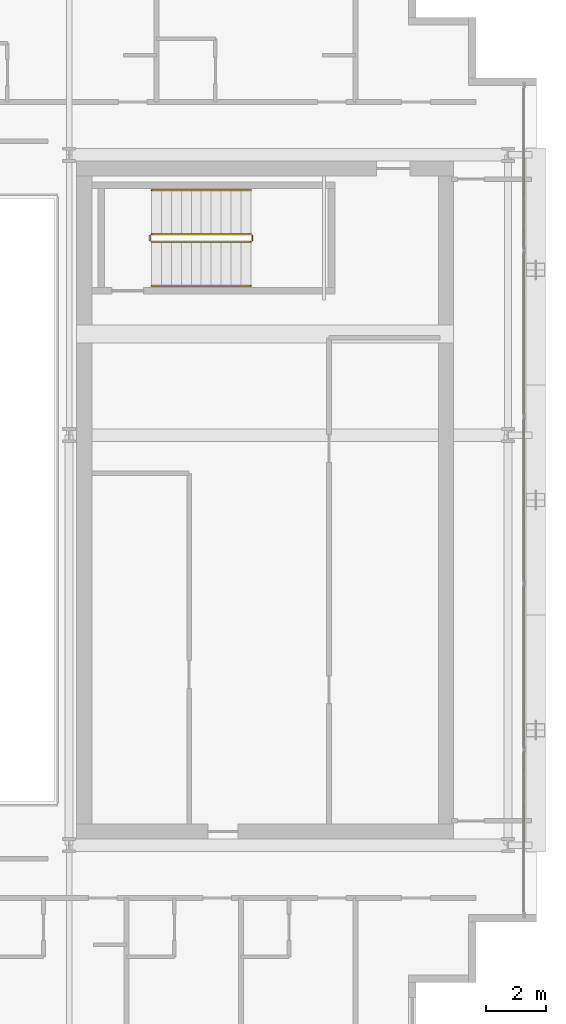
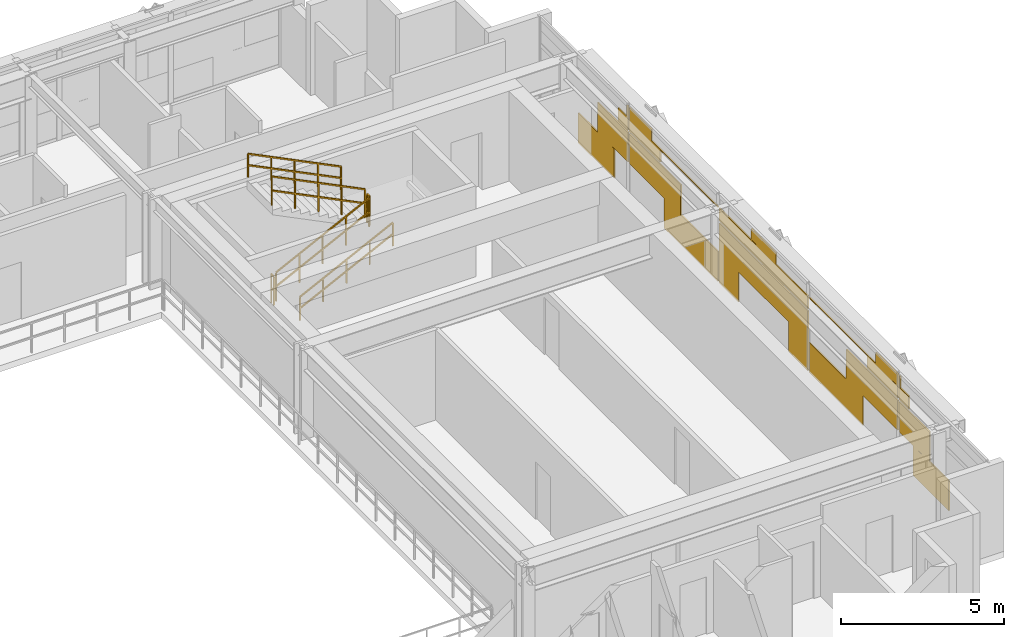
# One storey, part 30 of 31: 6 railings, 1 covering.
"""IFC4 building model written with IfcOpenShell, lengths in metres."""

from ifc_helpers import new_model, si_unit, direction, frame, origin, origin_2d, place, context, subcontext, project, spatial, rectangle, extrude, material, layer, layer_set, type_object, element, save


model = new_model("IFC4")

# Units and contexts
model_context = context("Model", 3, precision=1e-05, world=origin(), true_north=direction((0.0, 1.0)))
body_context = subcontext(model_context, "Body", "Model", "MODEL_VIEW")
ifc_project = project(units=[si_unit("LENGTHUNIT", "METRE"), si_unit("AREAUNIT", "SQUARE_METRE"), si_unit("VOLUMEUNIT", "CUBIC_METRE"), si_unit("PLANEANGLEUNIT", "RADIAN"), si_unit("MASSUNIT", "GRAM", prefix="KILO")], contexts=[model_context])

# Site, building, storey
site_placement = place(None, origin())
site = spatial("IfcSite", under=ifc_project, at=site_placement, CompositionType="ELEMENT")
building_placement = place(site_placement, origin())
building = spatial("IfcBuilding", under=site, at=building_placement, Name="Ocotamira Hotel", CompositionType="ELEMENT")
storey_placement = place(building_placement, frame((0.0, 0.0, 202.800048828125)))
storey = spatial("IfcBuildingStorey", under=building, at=storey_placement, Name="L51", CompositionType="ELEMENT", Elevation=202.800048828125)

# Covering
ifc_material_1 = material(Name="Insulated pale-metal aluminium spandrel panel", Category="aluminium")
ifc_layer = layer(ifc_material_1, 0.044921875)
ifc_layer_set = layer_set([ifc_layer], Name="Insulated pale-metal aluminium spandrel panel")
covering_type = type_object("IfcCoveringType", Name="COV-INFILL-45", PredefinedType="CLADDING", material=ifc_layer_set)
covering_placement = place(storey_placement, origin())
element("IfcCovering", 1, at=covering_placement, inside=storey, type_object=covering_type, Name="L51 Curtain Wall Infill CW-4 CW-L51-E", PredefinedType="CLADDING", context=body_context, shape_type="SweptSolid", body=[
    extrude(rectangle(XDim=2.205078125, YDim=0.044921875, at=origin_2d()), frame((55.580078125, 15.7314453125, 0.0751953125), z_axis=(0.0, 0.0, 1.0), x_axis=(0.0, 1.0, 0.0)), (0.0, 0.0, 1.0), 1.117919921875),
    extrude(rectangle(XDim=1.864501953125, YDim=0.044921875, at=origin_2d()), frame((55.580078125, 16.747314453125, 1.19384765625), z_axis=(0.0, 0.0, 1.0), x_axis=(0.0, 1.0, 0.0)), (0.0, 0.0, 1.0), 1.117919921875),
    extrude(rectangle(XDim=0.59912109375, YDim=0.044921875, at=origin_2d()), frame((55.580078125, 17.3798828125, 2.38818359375), z_axis=(0.0, 0.0, 1.0), x_axis=(0.0, 1.0, 0.0)), (0.0, 0.0, 1.0), 0.493896484375),
    extrude(rectangle(XDim=0.07421875, YDim=0.044921875, at=origin_2d()), frame((55.580078125, 17.642333984375, 2.883056640625), z_axis=(0.0, 0.0, 1.0), x_axis=(0.0, 1.0, 0.0)), (0.0, 0.0, 1.0), 0.41162109375),
    extrude(rectangle(XDim=3.157958984375, YDim=0.044921875, at=origin_2d()), frame((55.580078125, 19.33935546875, 1.19384765625), z_axis=(0.0, 0.0, 1.0), x_axis=(0.0, 1.0, 0.0)), (0.0, 0.0, 1.0), 1.117919921875),
    extrude(rectangle(XDim=3.30029296875, YDim=0.044921875, at=origin_2d()), frame((55.580078125, 21.54931640625, 0.0751953125), z_axis=(0.0, 0.0, 1.0), x_axis=(0.0, 1.0, 0.0)), (0.0, 0.0, 1.0), 1.117919921875),
    extrude(rectangle(XDim=1.892333984375, YDim=0.044921875, at=origin_2d()), frame((55.580078125, 18.70654296875, 2.38818359375), z_axis=(0.0, 0.0, 1.0), x_axis=(0.0, 1.0, 0.0)), (0.0, 0.0, 1.0), 0.459716796875),
    extrude(rectangle(XDim=5.43896484375, YDim=0.044921875, at=origin_2d()), frame((55.580078125, 20.47998046875, 2.8486328125), z_axis=(0.0, 0.0, 1.0), x_axis=(0.0, 1.0, 0.0)), (0.0, 0.0, 1.0), 0.033203125),
    extrude(rectangle(XDim=1.367431640625, YDim=0.044921875, at=origin_2d()), frame((55.580078125, 18.444091796875, 2.883056640625), z_axis=(0.0, 0.0, 1.0), x_axis=(0.0, 1.0, 0.0)), (0.0, 0.0, 1.0), 0.41162109375),
    extrude(rectangle(XDim=1.18701171875, YDim=0.044921875, at=origin_2d()), frame((55.580078125, 23.873779296875, 0.0751953125), z_axis=(0.0, 0.0, 1.0), x_axis=(0.0, 1.0, 0.0)), (0.0, 0.0, 1.0), 1.117919921875),
    extrude(rectangle(XDim=5.43896484375, YDim=0.044921875, at=origin_2d()), frame((55.580078125, 26.0, 1.19384765625), z_axis=(0.0, 0.0, 1.0), x_axis=(0.0, 1.0, 0.0)), (0.0, 0.0, 1.0), 1.117919921875),
    extrude(rectangle(XDim=1.18701171875, YDim=0.044921875, at=origin_2d()), frame((55.580078125, 28.126220703125, 0.0751953125), z_axis=(0.0, 0.0, 1.0), x_axis=(0.0, 1.0, 0.0)), (0.0, 0.0, 1.0), 1.117919921875),
    extrude(rectangle(XDim=5.43896484375, YDim=0.044921875, at=origin_2d()), frame((55.580078125, 26.0, 2.38818359375), z_axis=(0.0, 0.0, 1.0), x_axis=(0.0, 1.0, 0.0)), (0.0, 0.0, 1.0), 0.493896484375),
    extrude(rectangle(XDim=1.522705078125, YDim=0.044921875, at=origin_2d()), frame((55.580078125, 26.0, 2.883056640625), z_axis=(0.0, 0.0, 1.0), x_axis=(0.0, 1.0, 0.0)), (0.0, 0.0, 1.0), 0.41162109375),
    extrude(rectangle(XDim=3.30029296875, YDim=0.044921875, at=origin_2d()), frame((55.580078125, 30.45068359375, 0.0751953125), z_axis=(0.0, 0.0, 1.0), x_axis=(0.0, 1.0, 0.0)), (0.0, 0.0, 1.0), 1.117919921875),
    extrude(rectangle(XDim=3.157958984375, YDim=0.044921875, at=origin_2d()), frame((55.580078125, 32.66064453125, 1.19384765625), z_axis=(0.0, 0.0, 1.0), x_axis=(0.0, 1.0, 0.0)), (0.0, 0.0, 1.0), 1.117919921875),
    extrude(rectangle(XDim=5.43896484375, YDim=0.044921875, at=origin_2d()), frame((55.580078125, 31.52001953125, 2.8486328125), z_axis=(0.0, 0.0, 1.0), x_axis=(0.0, 1.0, 0.0)), (0.0, 0.0, 1.0), 0.033203125),
    extrude(rectangle(XDim=1.892333984375, YDim=0.044921875, at=origin_2d()), frame((55.580078125, 33.29345703125, 2.38818359375), z_axis=(0.0, 0.0, 1.0), x_axis=(0.0, 1.0, 0.0)), (0.0, 0.0, 1.0), 0.459716796875),
    extrude(rectangle(XDim=1.367431640625, YDim=0.044921875, at=origin_2d()), frame((55.580078125, 33.555908203125, 2.883056640625), z_axis=(0.0, 0.0, 1.0), x_axis=(0.0, 1.0, 0.0)), (0.0, 0.0, 1.0), 0.41162109375),
    extrude(rectangle(XDim=1.864501953125, YDim=0.044921875, at=origin_2d()), frame((55.580078125, 35.252685546875, 1.19384765625), z_axis=(0.0, 0.0, 1.0), x_axis=(0.0, 1.0, 0.0)), (0.0, 0.0, 1.0), 1.117919921875),
    extrude(rectangle(XDim=2.205078125, YDim=0.044921875, at=origin_2d()), frame((55.580078125, 36.2685546875, 0.0751953125), z_axis=(0.0, 0.0, 1.0), x_axis=(0.0, 1.0, 0.0)), (0.0, 0.0, 1.0), 1.117919921875),
    extrude(rectangle(XDim=0.59912109375, YDim=0.044921875, at=origin_2d()), frame((55.580078125, 34.6201171875, 2.38818359375), z_axis=(0.0, 0.0, 1.0), x_axis=(0.0, 1.0, 0.0)), (0.0, 0.0, 1.0), 0.493896484375),
    extrude(rectangle(XDim=0.07421875, YDim=0.044921875, at=origin_2d()), frame((55.580078125, 34.357666015625, 2.883056640625), z_axis=(0.0, 0.0, 1.0), x_axis=(0.0, 1.0, 0.0)), (0.0, 0.0, 1.0), 0.41162109375),
])

# Railings
ifc_material_2 = material(Name="Brushed stainless steel handrail", Category="steel")
railing_type_1 = type_object("IfcRailingType", Name="RL-HAND-900", PredefinedType="HANDRAIL", material=ifc_material_2)
railing_1_placement = place(storey_placement, frame((43.22998046875, 33.10009765625, 0.3271484375)))
element("IfcRailing", 2, at=railing_1_placement, inside=storey, type_object=railing_type_1, Name="L51 ST-4 stair handrail 1", PredefinedType="HANDRAIL", context=body_context, shape_type="SweptSolid", body=[
    extrude(rectangle(XDim=0.048095703125, YDim=0.048095703125, at=origin_2d()), frame((0.0, 0.0, 0.8759765625), z_axis=(0.895893744519, 0.0, 0.4442683857), x_axis=(0.0, 1.0, 0.0)), (0.0, 0.0, 1.0), 3.68359375),
    extrude(rectangle(XDim=0.048095703125, YDim=0.048095703125, at=origin_2d()), frame((0.0, 0.0, 0.449951171875), z_axis=(0.895893744519, 0.0, 0.4442683857), x_axis=(0.0, 1.0, 0.0)), (0.0, 0.0, 1.0), 3.68359375),
    extrude(rectangle(XDim=0.0419921875, YDim=0.0419921875, at=origin_2d()), origin(), (0.0, 0.0, 1.0), 0.851806640625),
    extrude(rectangle(XDim=0.0419921875, YDim=0.0419921875, at=origin_2d()), frame((0.824951171875, 0.0, 0.4091796875)), (0.0, 0.0, 1.0), 0.851806640625),
    extrude(rectangle(XDim=0.0419921875, YDim=0.0419921875, at=origin_2d()), frame((1.64990234375, 0.0, 0.818359375)), (0.0, 0.0, 1.0), 0.851806640625),
    extrude(rectangle(XDim=0.0419921875, YDim=0.0419921875, at=origin_2d()), frame((2.47509765625, 0.0, 1.227294921875)), (0.0, 0.0, 1.0), 0.851806640625),
    extrude(rectangle(XDim=0.0419921875, YDim=0.0419921875, at=origin_2d()), frame((3.300048828125, 0.0, 1.636474609375)), (0.0, 0.0, 1.0), 0.851806640625),
])
railing_2_placement = place(storey_placement, frame((46.530029296875, 36.280029296875, 2.127197265625)))
element("IfcRailing", 3, at=railing_2_placement, inside=storey, type_object=railing_type_1, Name="L51 ST-4 stair handrail 2", PredefinedType="HANDRAIL", context=body_context, shape_type="SweptSolid", body=[
    extrude(rectangle(XDim=0.048095703125, YDim=0.048095703125, at=origin_2d()), frame((0.0, 0.0, 0.8759765625), z_axis=(-0.895893744519, 0.0, 0.4442683857), x_axis=(0.0, -1.0, 0.0)), (0.0, 0.0, 1.0), 3.68359375),
    extrude(rectangle(XDim=0.048095703125, YDim=0.048095703125, at=origin_2d()), frame((0.0, 0.0, 0.449951171875), z_axis=(-0.895893744519, 0.0, 0.4442683857), x_axis=(0.0, -1.0, 0.0)), (0.0, 0.0, 1.0), 3.68359375),
    extrude(rectangle(XDim=0.0419921875, YDim=0.0419921875, at=origin_2d()), origin(), (0.0, 0.0, 1.0), 0.851806640625),
    extrude(rectangle(XDim=0.0419921875, YDim=0.0419921875, at=origin_2d()), frame((-0.824951171875, 0.0, 0.4091796875)), (0.0, 0.0, 1.0), 0.851806640625),
    extrude(rectangle(XDim=0.0419921875, YDim=0.0419921875, at=origin_2d()), frame((-1.64990234375, 0.0, 0.818359375)), (0.0, 0.0, 1.0), 0.851806640625),
    extrude(rectangle(XDim=0.0419921875, YDim=0.0419921875, at=origin_2d()), frame((-2.47509765625, 0.0, 1.227294921875)), (0.0, 0.0, 1.0), 0.851806640625),
    extrude(rectangle(XDim=0.0419921875, YDim=0.0419921875, at=origin_2d()), frame((-3.300048828125, 0.0, 1.636474609375)), (0.0, 0.0, 1.0), 0.851806640625),
])
ifc_material_3 = material(Name="Painted steel stair guardrail", Category="steel")
railing_type_2 = type_object("IfcRailingType", Name="RL-STAIR-1100", PredefinedType="GUARDRAIL", material=ifc_material_3)
railing_3_placement = place(storey_placement, frame((43.22998046875, 34.56005859375, 0.16357421875)))
element("IfcRailing", 4, at=railing_3_placement, inside=storey, type_object=railing_type_2, Name="L51 ST-4 stair guard 1", PredefinedType="GUARDRAIL", context=body_context, shape_type="SweptSolid", body=[
    extrude(rectangle(XDim=0.048095703125, YDim=0.048095703125, at=origin_2d()), frame((0.0, 0.0, 1.076171875), z_axis=(0.895893744519, 0.0, 0.4442683857), x_axis=(0.0, 1.0, 0.0)), (0.0, 0.0, 1.0), 3.68359375),
    extrude(rectangle(XDim=0.048095703125, YDim=0.048095703125, at=origin_2d()), frame((0.0, 0.0, 0.550048828125), z_axis=(0.895893744519, 0.0, 0.4442683857), x_axis=(0.0, 1.0, 0.0)), (0.0, 0.0, 1.0), 3.68359375),
    extrude(rectangle(XDim=0.0419921875, YDim=0.0419921875, at=origin_2d()), origin(), (0.0, 0.0, 1.0), 1.052001953125),
    extrude(rectangle(XDim=0.0419921875, YDim=0.0419921875, at=origin_2d()), frame((0.824951171875, 0.0, 0.4091796875)), (0.0, 0.0, 1.0), 1.052001953125),
    extrude(rectangle(XDim=0.0419921875, YDim=0.0419921875, at=origin_2d()), frame((1.64990234375, 0.0, 0.818359375)), (0.0, 0.0, 1.0), 1.052001953125),
    extrude(rectangle(XDim=0.0419921875, YDim=0.0419921875, at=origin_2d()), frame((2.47509765625, 0.0, 1.227294921875)), (0.0, 0.0, 1.0), 1.052001953125),
    extrude(rectangle(XDim=0.0419921875, YDim=0.0419921875, at=origin_2d()), frame((3.300048828125, 0.0, 1.636474609375)), (0.0, 0.0, 1.0), 1.052001953125),
])
railing_4_placement = place(storey_placement, frame((46.580078125, 34.610107421875, 1.800048828125)))
element("IfcRailing", 5, at=railing_4_placement, inside=storey, type_object=railing_type_2, Name="L51 ST-4 stair guard 2", PredefinedType="GUARDRAIL", context=body_context, shape_type="SweptSolid", body=[
    extrude(rectangle(XDim=0.048095703125, YDim=0.048095703125, at=origin_2d()), frame((0.0, 0.0, 1.076171875), z_axis=(0.0, 1.0, 0.0), x_axis=(-1.0, 0.0, 0.0)), (0.0, 0.0, 1.0), 0.159912109375),
    extrude(rectangle(XDim=0.048095703125, YDim=0.048095703125, at=origin_2d()), frame((0.0, 0.0, 0.550048828125), z_axis=(0.0, 1.0, 0.0), x_axis=(-1.0, 0.0, 0.0)), (0.0, 0.0, 1.0), 0.159912109375),
    extrude(rectangle(XDim=0.0419921875, YDim=0.0419921875, at=origin_2d()), origin(), (0.0, 0.0, 1.0), 1.052001953125),
    extrude(rectangle(XDim=0.0419921875, YDim=0.0419921875, at=origin_2d()), frame((0.0, 0.159912109375, 0.0)), (0.0, 0.0, 1.0), 1.052001953125),
])
railing_5_placement = place(storey_placement, frame((46.530029296875, 34.820068359375, 1.963623046875)))
element("IfcRailing", 6, at=railing_5_placement, inside=storey, type_object=railing_type_2, Name="L51 ST-4 stair guard 3", PredefinedType="GUARDRAIL", context=body_context, shape_type="SweptSolid", body=[
    extrude(rectangle(XDim=0.048095703125, YDim=0.048095703125, at=origin_2d()), frame((0.0, 0.0, 1.076171875), z_axis=(-0.895920123917, 0.0, 0.444215186098), x_axis=(0.0, -1.0, 0.0)), (0.0, 0.0, 1.0), 3.683349609375),
    extrude(rectangle(XDim=0.048095703125, YDim=0.048095703125, at=origin_2d()), frame((0.0, 0.0, 0.550048828125), z_axis=(-0.895920123917, 0.0, 0.444215186098), x_axis=(0.0, -1.0, 0.0)), (0.0, 0.0, 1.0), 3.683349609375),
    extrude(rectangle(XDim=0.0419921875, YDim=0.0419921875, at=origin_2d()), origin(), (0.0, 0.0, 1.0), 1.052001953125),
    extrude(rectangle(XDim=0.0419921875, YDim=0.0419921875, at=origin_2d()), frame((-0.824951171875, 0.0, 0.4091796875)), (0.0, 0.0, 1.0), 1.052001953125),
    extrude(rectangle(XDim=0.0419921875, YDim=0.0419921875, at=origin_2d()), frame((-1.64990234375, 0.0, 0.818115234375)), (0.0, 0.0, 1.0), 1.052001953125),
    extrude(rectangle(XDim=0.0419921875, YDim=0.0419921875, at=origin_2d()), frame((-2.47509765625, 0.0, 1.22705078125)), (0.0, 0.0, 1.0), 1.052001953125),
    extrude(rectangle(XDim=0.0419921875, YDim=0.0419921875, at=origin_2d()), frame((-3.300048828125, 0.0, 1.63623046875)), (0.0, 0.0, 1.0), 1.052001953125),
])
railing_6_placement = place(storey_placement, frame((43.179931640625, 34.610107421875, 0.0)))
element("IfcRailing", 7, at=railing_6_placement, inside=storey, type_object=railing_type_2, Name="L51 ST-4 stair guard 4", PredefinedType="GUARDRAIL", context=body_context, shape_type="SweptSolid", body=[
    extrude(rectangle(XDim=0.048095703125, YDim=0.048095703125, at=origin_2d()), frame((0.0, 0.0, 1.076171875), z_axis=(0.0, 1.0, 0.0), x_axis=(-1.0, 0.0, 0.0)), (0.0, 0.0, 1.0), 0.159912109375),
    extrude(rectangle(XDim=0.048095703125, YDim=0.048095703125, at=origin_2d()), frame((0.0, 0.0, 0.550048828125), z_axis=(0.0, 1.0, 0.0), x_axis=(-1.0, 0.0, 0.0)), (0.0, 0.0, 1.0), 0.159912109375),
    extrude(rectangle(XDim=0.0419921875, YDim=0.0419921875, at=origin_2d()), origin(), (0.0, 0.0, 1.0), 1.052001953125),
    extrude(rectangle(XDim=0.0419921875, YDim=0.0419921875, at=origin_2d()), frame((0.0, 0.159912109375, 0.0)), (0.0, 0.0, 1.0), 1.052001953125),
])

save(model, "model.ifc")
